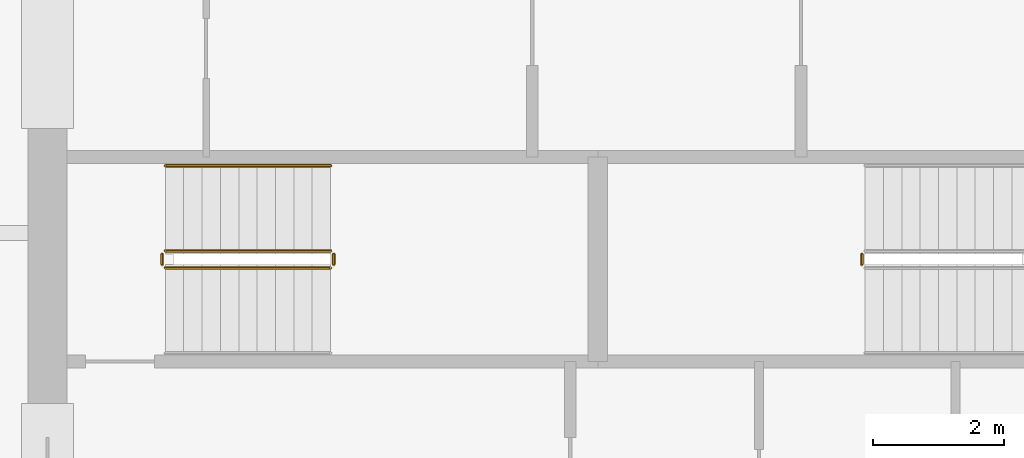
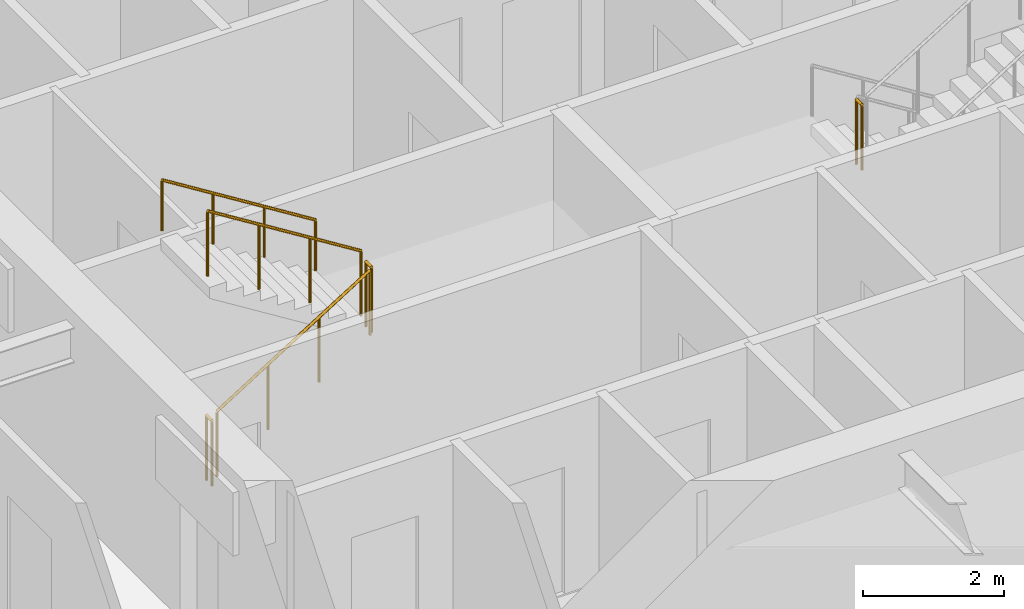
# One storey, part 36 of 38: 6 railings.
"""IFC4 building model written with IfcOpenShell, lengths in metres."""

from ifc_helpers import new_model, si_unit, direction, frame, origin, origin_2d, place, context, subcontext, project, spatial, circle, extrude, material, type_object, element, save


model = new_model("IFC4")

# Units and contexts
model_context = context("Model", 3, precision=1e-05, world=origin(), true_north=direction((0.0, 1.0)))
body_context = subcontext(model_context, "Body", "Model", "MODEL_VIEW")
ifc_project = project(units=[si_unit("LENGTHUNIT", "METRE"), si_unit("AREAUNIT", "SQUARE_METRE"), si_unit("VOLUMEUNIT", "CUBIC_METRE"), si_unit("PLANEANGLEUNIT", "RADIAN"), si_unit("MASSUNIT", "GRAM", prefix="KILO")], contexts=[model_context])

# Site, building, storey
site_placement = place(None, origin())
site = spatial("IfcSite", under=ifc_project, at=site_placement, CompositionType="ELEMENT")
building_placement = place(site_placement, origin())
building = spatial("IfcBuilding", under=site, at=building_placement, Name="Drelvath Grand Hotel", CompositionType="ELEMENT")
storey_placement = place(building_placement, frame((0.0, 0.0, 68.199951171875)))
storey = spatial("IfcBuildingStorey", under=building, at=storey_placement, Name="L16", CompositionType="ELEMENT", Elevation=68.199951171875)

# Railings
ifc_material = material(Name="Painted Steel S275", Category="steel")
railing_type_1 = type_object("IfcRailingType", Name="Core Stair Wall Handrail 900", PredefinedType="HANDRAIL", material=ifc_material)
railing_1_placement = place(storey_placement, frame((-4.080078125, 28.030029296875, 1.925048828125)))
element("IfcRailing", 1, at=railing_1_placement, inside=storey, type_object=railing_type_1, Name="L16 ST-1 stair handrail 2", PredefinedType="HANDRAIL", context=body_context, shape_type="SweptSolid", body=[
    extrude(circle(Radius=0.02392578125, at=origin_2d()), frame((0.0, 0.0, 0.8759765625), z_axis=(-0.848007534815, 0.0, 0.529984170421), x_axis=(0.0, -1.0, 0.0)), (0.0, 0.0, 1.0), 2.9716796875),
    extrude(circle(Radius=0.02099609375, at=origin_2d()), origin(), (0.0, 0.0, 1.0), 0.851806640625),
    extrude(circle(Radius=0.02099609375, at=origin_2d()), frame((-0.840087890625, 0.0, 0.52490234375)), (0.0, 0.0, 1.0), 0.851806640625),
    extrude(circle(Radius=0.02099609375, at=origin_2d()), frame((-1.679931640625, 0.0, 1.050048828125)), (0.0, 0.0, 1.0), 0.851806640625),
    extrude(circle(Radius=0.02099609375, at=origin_2d()), frame((-2.52001953125, 0.0, 1.574951171875)), (0.0, 0.0, 1.0), 0.851806640625),
])
railing_type_2 = type_object("IfcRailingType", Name="Core Stair Well Guardrail 1100", PredefinedType="GUARDRAIL", material=ifc_material)
railing_2_placement = place(storey_placement, frame((-6.60009765625, 26.469970703125, 0.175048828125)))
element("IfcRailing", 2, at=railing_2_placement, inside=storey, type_object=railing_type_2, Name="L16 ST-1 stair guard 1", PredefinedType="GUARDRAIL", context=body_context, shape_type="SweptSolid", body=[
    extrude(circle(Radius=0.02392578125, at=origin_2d()), frame((0.0, 0.0, 1.1259765625), z_axis=(0.848007534815, 0.0, 0.529984170421), x_axis=(0.0, 1.0, 0.0)), (0.0, 0.0, 1.0), 2.9716796875),
    extrude(circle(Radius=0.02099609375, at=origin_2d()), origin(), (0.0, 0.0, 1.0), 1.101806640625),
    extrude(circle(Radius=0.02099609375, at=origin_2d()), frame((0.840087890625, 0.0, 0.52490234375)), (0.0, 0.0, 1.0), 1.101806640625),
    extrude(circle(Radius=0.02099609375, at=origin_2d()), frame((1.679931640625, 0.0, 1.050048828125)), (0.0, 0.0, 1.0), 1.101806640625),
    extrude(circle(Radius=0.02099609375, at=origin_2d()), frame((2.52001953125, 0.0, 1.574951171875)), (0.0, 0.0, 1.0), 1.101806640625),
])
railing_3_placement = place(storey_placement, frame((-4.030029296875, 26.52001953125, 1.75)))
element("IfcRailing", 3, at=railing_3_placement, inside=storey, type_object=railing_type_2, Name="L16 ST-1 stair guard 2", PredefinedType="GUARDRAIL", context=body_context, shape_type="SweptSolid", body=[
    extrude(circle(Radius=0.02392578125, at=origin_2d()), frame((0.0, 0.0, 1.1259765625), z_axis=(0.0, 1.0, 0.0), x_axis=(-1.0, 0.0, 0.0)), (0.0, 0.0, 1.0), 0.159912109375),
    extrude(circle(Radius=0.02099609375, at=origin_2d()), origin(), (0.0, 0.0, 1.0), 1.101806640625),
    extrude(circle(Radius=0.02099609375, at=origin_2d()), frame((0.0, 0.159912109375, 0.0)), (0.0, 0.0, 1.0), 1.101806640625),
])
railing_4_placement = place(storey_placement, frame((-4.080078125, 26.72998046875, 1.925048828125)))
element("IfcRailing", 4, at=railing_4_placement, inside=storey, type_object=railing_type_2, Name="L16 ST-1 stair guard 3", PredefinedType="GUARDRAIL", context=body_context, shape_type="SweptSolid", body=[
    extrude(circle(Radius=0.02392578125, at=origin_2d()), frame((0.0, 0.0, 1.1259765625), z_axis=(-0.848007534815, 0.0, 0.529984170421), x_axis=(0.0, -1.0, 0.0)), (0.0, 0.0, 1.0), 2.9716796875),
    extrude(circle(Radius=0.02099609375, at=origin_2d()), origin(), (0.0, 0.0, 1.0), 1.101806640625),
    extrude(circle(Radius=0.02099609375, at=origin_2d()), frame((-0.840087890625, 0.0, 0.52490234375)), (0.0, 0.0, 1.0), 1.101806640625),
    extrude(circle(Radius=0.02099609375, at=origin_2d()), frame((-1.679931640625, 0.0, 1.050048828125)), (0.0, 0.0, 1.0), 1.101806640625),
    extrude(circle(Radius=0.02099609375, at=origin_2d()), frame((-2.52001953125, 0.0, 1.574951171875)), (0.0, 0.0, 1.0), 1.101806640625),
])
railing_5_placement = place(storey_placement, frame((-6.64990234375, 26.52001953125, 0.0)))
element("IfcRailing", 5, at=railing_5_placement, inside=storey, type_object=railing_type_2, Name="L16 ST-1 stair guard 4", PredefinedType="GUARDRAIL", context=body_context, shape_type="SweptSolid", body=[
    extrude(circle(Radius=0.02392578125, at=origin_2d()), frame((0.0, 0.0, 1.1259765625), z_axis=(0.0, 1.0, 0.0), x_axis=(-1.0, 0.0, 0.0)), (0.0, 0.0, 1.0), 0.159912109375),
    extrude(circle(Radius=0.02099609375, at=origin_2d()), origin(), (0.0, 0.0, 1.0), 1.101806640625),
    extrude(circle(Radius=0.02099609375, at=origin_2d()), frame((0.0, 0.159912109375, 0.0)), (0.0, 0.0, 1.0), 1.101806640625),
])
railing_6_placement = place(storey_placement, frame((4.030029296875, 26.679931640625, 1.75)))
element("IfcRailing", 6, at=railing_6_placement, inside=storey, type_object=railing_type_2, Name="L16 ST-2 stair guard 2", PredefinedType="GUARDRAIL", context=body_context, shape_type="SweptSolid", body=[
    extrude(circle(Radius=0.02392578125, at=origin_2d()), frame((0.0, 0.0, 1.1259765625), z_axis=(0.0, -1.0, 0.0), x_axis=(1.0, 0.0, 0.0)), (0.0, 0.0, 1.0), 0.159912109375),
    extrude(circle(Radius=0.02099609375, at=origin_2d()), origin(), (0.0, 0.0, 1.0), 1.101806640625),
    extrude(circle(Radius=0.02099609375, at=origin_2d()), frame((0.0, -0.159912109375, 0.0)), (0.0, 0.0, 1.0), 1.101806640625),
])

save(model, "model.ifc")
